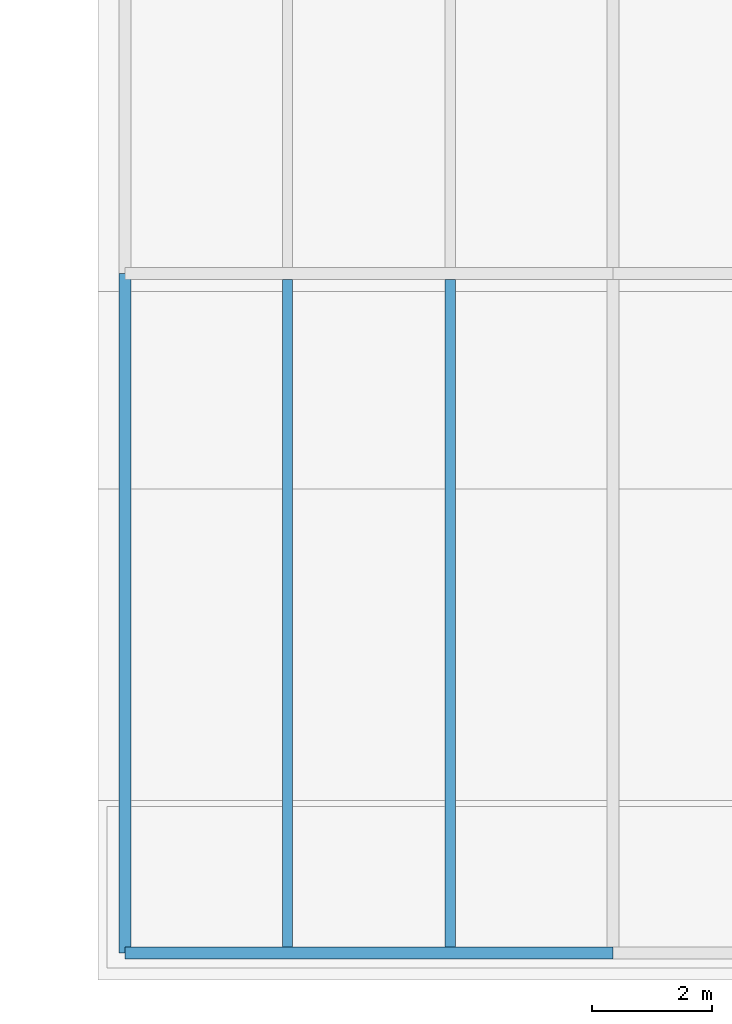
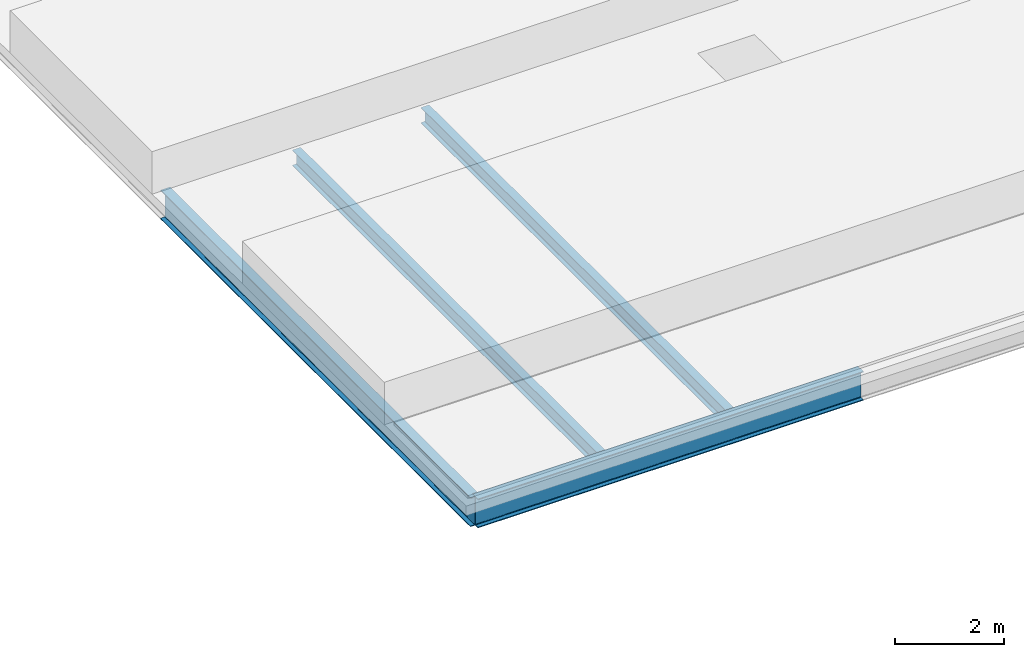
# One storey, part 9 of 30: 4 beams.
"""IFC4 building model written with IfcOpenShell, lengths in metres."""

from ifc_helpers import new_model, si_unit, direction, frame, origin, origin_2d, place, context, subcontext, project, spatial, i_section, extrude, material, material_profile, profile_set, type_object, element, save


model = new_model("IFC4")

# Units and contexts
model_context = context("Model", 3, precision=1e-05, world=origin(), true_north=direction((0.0, 1.0)))
body_context = subcontext(model_context, "Body", "Model", "MODEL_VIEW")
ifc_project = project(units=[si_unit("LENGTHUNIT", "METRE"), si_unit("AREAUNIT", "SQUARE_METRE"), si_unit("VOLUMEUNIT", "CUBIC_METRE"), si_unit("PLANEANGLEUNIT", "RADIAN"), si_unit("MASSUNIT", "GRAM", prefix="KILO")], contexts=[model_context])

# Site, building, storey
site_placement = place(None, origin())
site = spatial("IfcSite", under=ifc_project, at=site_placement, CompositionType="ELEMENT")
building_placement = place(site_placement, origin())
building = spatial("IfcBuilding", under=site, at=building_placement, Name="Noeulbin Bourse Tower", CompositionType="ELEMENT")
storey_placement = place(building_placement, frame((0.0, 0.0, 26.5)))
storey = spatial("IfcBuildingStorey", under=building, at=storey_placement, Name="L06", CompositionType="ELEMENT", Elevation=26.5)

# Beams
ifc_material = material(Name="Steel S355", Category="steel")
ifc_material_profile_1 = material_profile(ifc_material, i_section(OverallWidth=0.199951171875, OverallDepth=0.64990234375, WebThickness=0.010986328125, FlangeThickness=0.01904296875, FilletRadius=0.02197265625, at=origin_2d()), Name="H-650x200x11x19", Category="LoadBearing")
ifc_profile_set_1 = profile_set([ifc_material_profile_1], Name="Steel S355")
beam_type_1 = type_object("IfcBeamType", Name="BM-GRD-650", PredefinedType="USERDEFINED", material=ifc_profile_set_1)
beam_1_placement = place(storey_placement, frame((60.449951171875, 3.449951171875, -0.534912109375), z_axis=(1.0, 0.0, 0.0), x_axis=(0.0, 1.0, 0.0)))
element("IfcBeam", 1, at=beam_1_placement, inside=storey, type_object=beam_type_1, Name="Market Hall Girder EW L06-01", ObjectType="GIRDER", PredefinedType="USERDEFINED", context=body_context, shape_type="SweptSolid", body=[
    extrude(i_section(OverallWidth=0.199951171875, OverallDepth=0.64990234375, WebThickness=0.010986328125, FlangeThickness=0.01904296875, FilletRadius=0.02197265625, at=origin_2d()), origin(), (0.0, 0.0, 1.0), 8.150146484375),
])
beam_2_placement = place(storey_placement, frame((60.449951171875, 3.449951171875, -0.534912109375), z_axis=(0.0, 1.0, 0.0), x_axis=(-1.0, 0.0, 0.0)))
element("IfcBeam", 2, at=beam_2_placement, inside=storey, type_object=beam_type_1, Name="Market Hall Girder NS L06-11", ObjectType="GIRDER", PredefinedType="USERDEFINED", context=body_context, shape_type="SweptSolid", body=[
    extrude(i_section(OverallWidth=0.199951171875, OverallDepth=0.64990234375, WebThickness=0.010986328125, FlangeThickness=0.01904296875, FilletRadius=0.02197265625, at=origin_2d()), origin(), (0.0, 0.0, 1.0), 11.35009765625),
])
ifc_material_profile_2 = material_profile(ifc_material, i_section(OverallWidth=0.175048828125, OverallDepth=0.35009765625, WebThickness=0.007080078125, FlangeThickness=0.010986328125, FilletRadius=0.013916015625, at=origin_2d()), Name="H-350x175x7x11", Category="LoadBearing")
ifc_profile_set_2 = profile_set([ifc_material_profile_2], Name="Steel S355")
beam_type_2 = type_object("IfcBeamType", Name="BM-JST-350", PredefinedType="JOIST", material=ifc_profile_set_2)
for number, where, z_axis, x_axis, name in (
    (3, (63.166748046875, 3.550048828125, -0.385009765625), (0.0, 1.0, 0.0), (-1.0, 0.0, 0.0), "Market Hall Secondary Joist L06-01"),
    (4, (65.88330078125, 3.550048828125, -0.385009765625), (0.0, 1.0, 0.0), (-1.0, 0.0, 0.0), "Market Hall Secondary Joist L06-05"),
):
    element("IfcBeam", number, at=place(storey_placement, frame(where, z_axis=z_axis, x_axis=x_axis)), inside=storey, type_object=beam_type_2, Name=name, PredefinedType="JOIST", context=body_context, shape_type="SweptSolid", body=[
        extrude(i_section(OverallWidth=0.175048828125, OverallDepth=0.35009765625, WebThickness=0.007080078125, FlangeThickness=0.010986328125, FilletRadius=0.013916015625, at=origin_2d()), origin(), (0.0, 0.0, 1.0), 11.14990234375),
    ])

save(model, "model.ifc")
